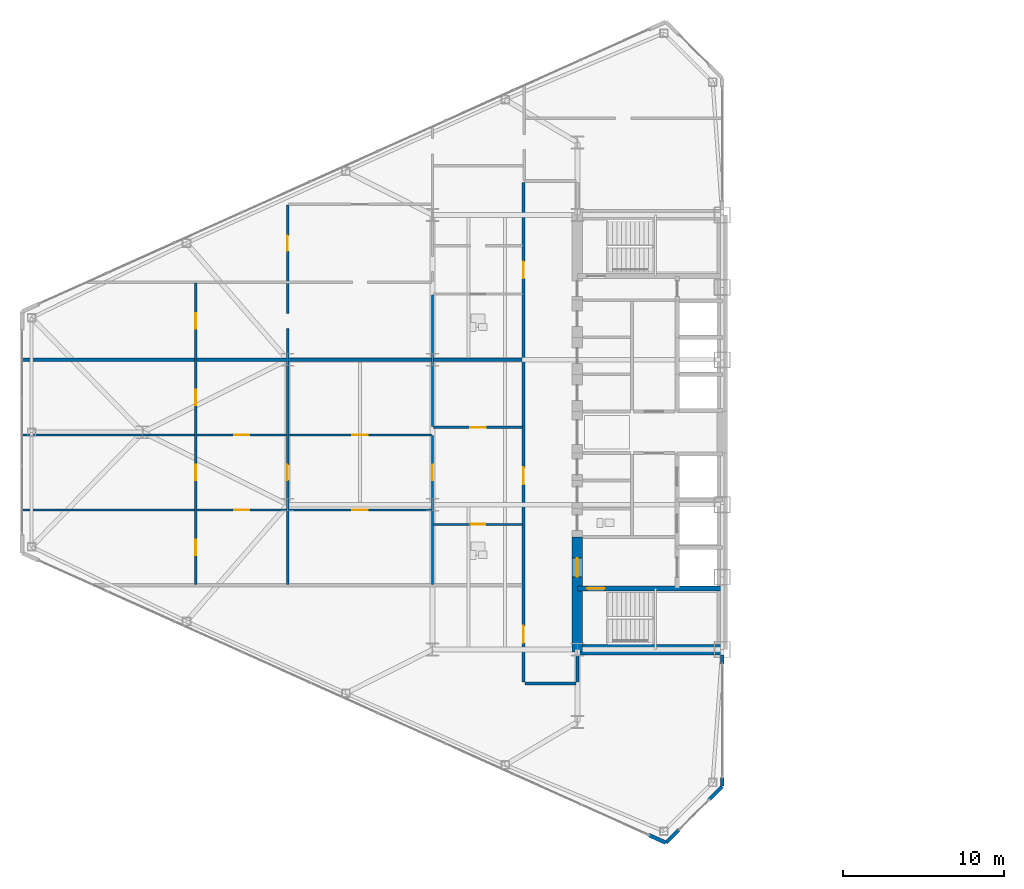
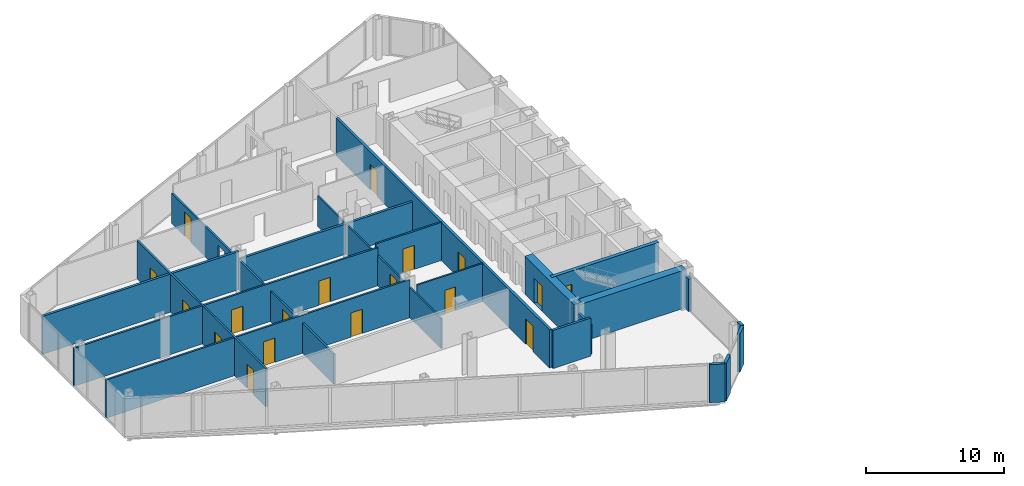
# One storey, part 19 of 27: 21 walls, 18 doors, 19 openings.
"""IFC4 building model written with IfcOpenShell, lengths in metres."""

from ifc_helpers import new_model, si_unit, direction, frame, frame_2d, origin, place, context, subcontext, project, spatial, rectangle, extrude, source, transform, mapped, material, layer, layer_set, type_object, type_shapes, element, fill, save


model = new_model("IFC4")

# Units and contexts
model_context = context("Model", 3, precision=1e-05, world=origin(), true_north=direction((0.0, 1.0)))
body_context = subcontext(model_context, "Body", "Model", "MODEL_VIEW")
ifc_project = project(units=[si_unit("LENGTHUNIT", "METRE"), si_unit("AREAUNIT", "SQUARE_METRE"), si_unit("VOLUMEUNIT", "CUBIC_METRE"), si_unit("PLANEANGLEUNIT", "RADIAN"), si_unit("MASSUNIT", "GRAM", prefix="KILO")], contexts=[model_context])

# Site, building, storey
site_placement = place(None, origin())
site = spatial("IfcSite", under=ifc_project, at=site_placement, CompositionType="ELEMENT")
building_placement = place(site_placement, origin())
building = spatial("IfcBuilding", under=site, at=building_placement, Name="Seokmaru Belvedere", CompositionType="ELEMENT")
storey_placement = place(building_placement, frame((0.0, 0.0, 80.10009765625)))
storey = spatial("IfcBuildingStorey", under=building, at=storey_placement, Name="L21", CompositionType="ELEMENT", Elevation=80.10009765625)

# Wall, openings, doors
ifc_material_1 = material(Name="Fire-Rated Gypsum Shaftwall")
ifc_layer_1 = layer(ifc_material_1, 0.14990234375)
ifc_layer_set_1 = layer_set([ifc_layer_1], Name="Fire-Rated Gypsum Shaftwall")
wall_type_1 = type_object("IfcWallType", Name="Apartment Fire-Acoustic Room Partition 150", PredefinedType="PARTITIONING", material=ifc_layer_set_1)
wall_1_placement = place(storey_placement, frame((-71.034912109375, -4.830078125, 0.0), z_axis=(0.0, 0.0, 1.0), x_axis=(1.0, 0.0, 0.0)))
wall_1 = element("IfcWall", 1, at=wall_1_placement, inside=storey, type_object=wall_type_1, Name="L21 Interior Partition 012", PredefinedType="PARTITIONING", context=body_context, shape_type="SweptSolid", body=[
    extrude(rectangle(XDim=25.48486328125, YDim=0.14990234375, at=frame_2d((12.742431640625, 0.0))), origin(), (0.0, 0.0, 1.0), 3.3798828125),
])
opening_1_placement = place(wall_1_placement, frame((20.56005859375, 0.0, 0.0)))
opening_1 = element("IfcOpeningElement", 2, at=opening_1_placement, cuts=wall_1, Name="Opening D05", PredefinedType="OPENING", context=body_context, shape_type="SweptSolid", body=[
    extrude(rectangle(XDim=0.949951171875, YDim=2.14990234375, at=frame_2d((0.47509765625, 1.074951171875))), frame((0.0, 0.0849609375, 0.0), z_axis=(0.0, -1.0, 0.0), x_axis=(1.0, 0.0, 0.0)), (0.0, 0.0, 1.0), 0.169921875),
])
opening_2_placement = place(wall_1_placement, frame((13.2099609375, 0.0, 0.0)))
opening_2 = element("IfcOpeningElement", 3, at=opening_2_placement, cuts=wall_1, Name="Opening D05", PredefinedType="OPENING", context=body_context, shape_type="SweptSolid", body=[
    extrude(rectangle(XDim=0.949951171875, YDim=2.14990234375, at=frame_2d((0.47509765625, 1.074951171875))), frame((0.0, 0.0849609375, 0.0), z_axis=(0.0, -1.0, 0.0), x_axis=(1.0, 0.0, 0.0)), (0.0, 0.0, 1.0), 0.169921875),
])
ifc_material_2 = material(Name="Engineered White Oak Timber", Category="wood")
door_type_1 = type_object("IfcDoorType", Name="Apartment Interior Fire-Rated Oak Door 950x2150", OperationType="NOTDEFINED", PredefinedType="DOOR", material=ifc_material_2)
shared_shape_1 = source(origin(), body_context, "Body", "SweptSolid", [
    extrude(rectangle(XDim=0.949951171875, YDim=2.14990234375, at=frame_2d((0.47509765625, 1.074951171875))), frame((0.0, 0.02490234375, 0.0), z_axis=(0.0, -1.0, 0.0), x_axis=(1.0, 0.0, 0.0)), (0.0, 0.0, 1.0), 0.050048828125),
])
type_shapes(door_type_1, [shared_shape_1])
door_1_placement = place(opening_1_placement, origin())
door_1 = element("IfcDoor", 4, at=door_1_placement, inside=storey, type_object=door_type_1, Name="L21 Interior Door 007", OperationType="SINGLE_SWING_RIGHT", OverallHeight=2.14990234375, OverallWidth=0.949951171875, PredefinedType="DOOR", context=body_context, shape_type="MappedRepresentation", body=[
    mapped(shared_shape_1, transform((0.0, 0.0, 0.0), scale=1.0)),
])
fill(opening_1, door_1)
door_2_placement = place(opening_2_placement, origin())
door_2 = element("IfcDoor", 5, at=door_2_placement, inside=storey, type_object=door_type_1, Name="L21 Interior Door 009", OperationType="SINGLE_SWING_LEFT", OverallHeight=2.14990234375, OverallWidth=0.949951171875, PredefinedType="DOOR", context=body_context, shape_type="MappedRepresentation", body=[
    mapped(shared_shape_1, transform((0.0, 0.0, 0.0), scale=1.0)),
])
fill(opening_2, door_2)

wall_2_placement = place(storey_placement, frame((-71.034912109375, -0.169921875, 0.0), z_axis=(0.0, 0.0, 1.0), x_axis=(1.0, 0.0, 0.0)))
wall_2 = element("IfcWall", 6, at=wall_2_placement, inside=storey, type_object=wall_type_1, Name="L21 Interior Partition 015", PredefinedType="PARTITIONING", context=body_context, shape_type="SweptSolid", body=[
    extrude(rectangle(XDim=25.48486328125, YDim=0.14990234375, at=frame_2d((12.742431640625, 0.0))), origin(), (0.0, 0.0, 1.0), 3.3798828125),
])
opening_3_placement = place(wall_2_placement, frame((20.56005859375, 0.0, 0.0)))
opening_3 = element("IfcOpeningElement", 7, at=opening_3_placement, cuts=wall_2, Name="Opening D05", PredefinedType="OPENING", context=body_context, shape_type="SweptSolid", body=[
    extrude(rectangle(XDim=0.949951171875, YDim=2.14990234375, at=frame_2d((0.47509765625, 1.074951171875))), frame((0.0, 0.0849609375, 0.0), z_axis=(0.0, -1.0, 0.0), x_axis=(1.0, 0.0, 0.0)), (0.0, 0.0, 1.0), 0.169921875),
])
opening_4_placement = place(wall_2_placement, frame((13.2099609375, 0.0, 0.0)))
opening_4 = element("IfcOpeningElement", 8, at=opening_4_placement, cuts=wall_2, Name="Opening D05", PredefinedType="OPENING", context=body_context, shape_type="SweptSolid", body=[
    extrude(rectangle(XDim=0.949951171875, YDim=2.14990234375, at=frame_2d((0.47509765625, 1.074951171875))), frame((0.0, 0.0849609375, 0.0), z_axis=(0.0, -1.0, 0.0), x_axis=(1.0, 0.0, 0.0)), (0.0, 0.0, 1.0), 0.169921875),
])
door_3_placement = place(opening_3_placement, origin())
door_3 = element("IfcDoor", 9, at=door_3_placement, inside=storey, type_object=door_type_1, Name="L21 Interior Door 008", OperationType="SINGLE_SWING_LEFT", OverallHeight=2.14990234375, OverallWidth=0.949951171875, PredefinedType="DOOR", context=body_context, shape_type="MappedRepresentation", body=[
    mapped(shared_shape_1, transform((0.0, 0.0, 0.0), scale=1.0)),
])
fill(opening_3, door_3)
door_4_placement = place(opening_4_placement, origin())
door_4 = element("IfcDoor", 10, at=door_4_placement, inside=storey, type_object=door_type_1, Name="L21 Interior Door 012", OperationType="SINGLE_SWING_LEFT", OverallHeight=2.14990234375, OverallWidth=0.949951171875, PredefinedType="DOOR", context=body_context, shape_type="MappedRepresentation", body=[
    mapped(shared_shape_1, transform((0.0, 0.0, 0.0), scale=1.0)),
])
fill(opening_4, door_4)

# Wall, opening, door
wall_3_placement = place(storey_placement, frame((-45.449951171875, 0.300048828125, 0.0), z_axis=(0.0, 0.0, 1.0), x_axis=(1.0, 0.0, 0.0)))
wall_3 = element("IfcWall", 11, at=wall_3_placement, inside=storey, type_object=wall_type_1, Name="L21 Interior Partition 017", PredefinedType="PARTITIONING", context=body_context, shape_type="SweptSolid", body=[
    extrude(rectangle(XDim=5.550048828125, YDim=0.14990234375, at=frame_2d((2.77490234375, 0.0))), origin(), (0.0, 0.0, 1.0), 3.3798828125),
])
opening_5_placement = place(wall_3_placement, frame((2.300048828125, 0.0, 0.0)))
opening_5 = element("IfcOpeningElement", 12, at=opening_5_placement, cuts=wall_3, Name="Opening D05", PredefinedType="OPENING", context=body_context, shape_type="SweptSolid", body=[
    extrude(rectangle(XDim=0.949951171875, YDim=2.14990234375, at=frame_2d((0.47509765625, 1.074951171875))), frame((0.0, 0.0849609375, 0.0), z_axis=(0.0, -1.0, 0.0), x_axis=(1.0, 0.0, 0.0)), (0.0, 0.0, 1.0), 0.169921875),
])
door_5_placement = place(opening_5_placement, origin())
door_5 = element("IfcDoor", 13, at=door_5_placement, inside=storey, type_object=door_type_1, Name="L21 Interior Door 004", OperationType="SINGLE_SWING_LEFT", OverallHeight=2.14990234375, OverallWidth=0.949951171875, PredefinedType="DOOR", context=body_context, shape_type="MappedRepresentation", body=[
    mapped(shared_shape_1, transform((0.0, 0.0, 0.0), scale=1.0)),
])
fill(opening_5, door_5)

# Wall, openings, doors
wall_4_placement = place(storey_placement, frame((-60.199951171875, -9.449951171875, 0.0), z_axis=(0.0, 0.0, 1.0), x_axis=(0.0, 1.0, 0.0)))
wall_4 = element("IfcWall", 14, at=wall_4_placement, inside=storey, type_object=wall_type_1, Name="L21 Interior Partition 036", PredefinedType="PARTITIONING", context=body_context, shape_type="SweptSolid", body=[
    extrude(rectangle(XDim=18.724853515625, YDim=0.14990234375, at=frame_2d((9.3623046875, 0.0))), origin(), (0.0, 0.0, 1.0), 3.3798828125),
])
opening_6_placement = place(wall_4_placement, frame((1.808349609375, 0.0, 0.0)))
opening_6 = element("IfcOpeningElement", 15, at=opening_6_placement, cuts=wall_4, Name="Opening D05", PredefinedType="OPENING", context=body_context, shape_type="SweptSolid", body=[
    extrude(rectangle(XDim=0.949951171875, YDim=2.14990234375, at=frame_2d((0.47509765625, 1.074951171875))), frame((0.0, 0.0849609375, 0.0), z_axis=(0.0, -1.0, 0.0), x_axis=(1.0, 0.0, 0.0)), (0.0, 0.0, 1.0), 0.169921875),
])
opening_7_placement = place(wall_4_placement, frame((6.47509765625, 0.0, 0.0)))
opening_7 = element("IfcOpeningElement", 16, at=opening_7_placement, cuts=wall_4, Name="Opening D05", PredefinedType="OPENING", context=body_context, shape_type="SweptSolid", body=[
    extrude(rectangle(XDim=0.949951171875, YDim=2.14990234375, at=frame_2d((0.47509765625, 1.074951171875))), frame((0.0, 0.0849609375, 0.0), z_axis=(0.0, -1.0, 0.0), x_axis=(1.0, 0.0, 0.0)), (0.0, 0.0, 1.0), 0.169921875),
])
opening_8_placement = place(wall_4_placement, frame((11.1416015625, 0.0, 0.0)))
opening_8 = element("IfcOpeningElement", 17, at=opening_8_placement, cuts=wall_4, Name="Opening D05", PredefinedType="OPENING", context=body_context, shape_type="SweptSolid", body=[
    extrude(rectangle(XDim=0.949951171875, YDim=2.14990234375, at=frame_2d((0.47509765625, 1.074951171875))), frame((0.0, 0.0849609375, 0.0), z_axis=(0.0, -1.0, 0.0), x_axis=(1.0, 0.0, 0.0)), (0.0, 0.0, 1.0), 0.169921875),
])
opening_9_placement = place(wall_4_placement, frame((15.887451171875, 0.0, 0.0)))
opening_9 = element("IfcOpeningElement", 18, at=opening_9_placement, cuts=wall_4, Name="Opening D05", PredefinedType="OPENING", context=body_context, shape_type="SweptSolid", body=[
    extrude(rectangle(XDim=0.949951171875, YDim=2.14990234375, at=frame_2d((0.47509765625, 1.074951171875))), frame((0.0, 0.0849609375, 0.0), z_axis=(0.0, -1.0, 0.0), x_axis=(1.0, 0.0, 0.0)), (0.0, 0.0, 1.0), 0.169921875),
])
door_6_placement = place(opening_6_placement, origin())
door_6 = element("IfcDoor", 19, at=door_6_placement, inside=storey, type_object=door_type_1, Name="L21 Interior Door 010", OperationType="SINGLE_SWING_RIGHT", OverallHeight=2.14990234375, OverallWidth=0.949951171875, PredefinedType="DOOR", context=body_context, shape_type="MappedRepresentation", body=[
    mapped(shared_shape_1, transform((0.0, 0.0, 0.0), scale=1.0)),
])
fill(opening_6, door_6)
door_7_placement = place(opening_7_placement, origin())
door_7 = element("IfcDoor", 20, at=door_7_placement, inside=storey, type_object=door_type_1, Name="L21 Interior Door 011", OperationType="SINGLE_SWING_RIGHT", OverallHeight=2.14990234375, OverallWidth=0.949951171875, PredefinedType="DOOR", context=body_context, shape_type="MappedRepresentation", body=[
    mapped(shared_shape_1, transform((0.0, 0.0, 0.0), scale=1.0)),
])
fill(opening_7, door_7)
door_8_placement = place(opening_8_placement, origin())
door_8 = element("IfcDoor", 21, at=door_8_placement, inside=storey, type_object=door_type_1, Name="L21 Interior Door 013", OperationType="SINGLE_SWING_RIGHT", OverallHeight=2.14990234375, OverallWidth=0.949951171875, PredefinedType="DOOR", context=body_context, shape_type="MappedRepresentation", body=[
    mapped(shared_shape_1, transform((0.0, 0.0, 0.0), scale=1.0)),
])
fill(opening_8, door_8)
door_9_placement = place(opening_9_placement, origin())
door_9 = element("IfcDoor", 22, at=door_9_placement, inside=storey, type_object=door_type_1, Name="L21 Interior Door 022", OperationType="SINGLE_SWING_RIGHT", OverallHeight=2.14990234375, OverallWidth=0.949951171875, PredefinedType="DOOR", context=body_context, shape_type="MappedRepresentation", body=[
    mapped(shared_shape_1, transform((0.0, 0.0, 0.0), scale=1.0)),
])
fill(opening_9, door_9)

wall_5_placement = place(storey_placement, frame((-54.5, -9.449951171875, 0.0), z_axis=(0.0, 0.0, 1.0), x_axis=(0.0, 1.0, 0.0)))
wall_5 = element("IfcWall", 23, at=wall_5_placement, inside=storey, type_object=wall_type_1, Name="L21 Interior Partition 037", PredefinedType="PARTITIONING", context=body_context, shape_type="SweptSolid", body=[
    extrude(rectangle(XDim=23.550048828125, YDim=0.14990234375, at=frame_2d((11.77490234375, 0.0))), origin(), (0.0, 0.0, 1.0), 2.679931640625),
])
opening_10_placement = place(wall_5_placement, frame((6.47509765625, 0.0, 0.0)))
opening_10 = element("IfcOpeningElement", 24, at=opening_10_placement, cuts=wall_5, Name="Opening D05", PredefinedType="OPENING", context=body_context, shape_type="SweptSolid", body=[
    extrude(rectangle(XDim=0.949951171875, YDim=2.14990234375, at=frame_2d((0.47509765625, 1.074951171875))), frame((0.0, 0.0849609375, 0.0), z_axis=(0.0, -1.0, 0.0), x_axis=(1.0, 0.0, 0.0)), (0.0, 0.0, 1.0), 0.169921875),
])
opening_11_placement = place(wall_5_placement, frame((20.71240234375, 0.0, 0.0)))
opening_11 = element("IfcOpeningElement", 25, at=opening_11_placement, cuts=wall_5, Name="Opening D05", PredefinedType="OPENING", context=body_context, shape_type="SweptSolid", body=[
    extrude(rectangle(XDim=0.949951171875, YDim=2.14990234375, at=frame_2d((0.47509765625, 1.074951171875))), frame((0.0, 0.0849609375, 0.0), z_axis=(0.0, -1.0, 0.0), x_axis=(1.0, 0.0, 0.0)), (0.0, 0.0, 1.0), 0.169921875),
])
opening_12_placement = place(wall_5_placement, frame((15.887451171875, 0.0, 0.0)))
element("IfcOpeningElement", 26, at=opening_12_placement, cuts=wall_5, Name="L21 Cased Opening 021", PredefinedType="OPENING", context=body_context, shape_type="SweptSolid", body=[
    extrude(rectangle(XDim=0.949951171875, YDim=2.14990234375, at=frame_2d((0.47509765625, 1.074951171875))), frame((0.0, 0.0849609375, 0.0), z_axis=(0.0, -1.0, 0.0), x_axis=(1.0, 0.0, 0.0)), (0.0, 0.0, 1.0), 0.169921875),
])
door_10_placement = place(opening_10_placement, origin())
door_10 = element("IfcDoor", 27, at=door_10_placement, inside=storey, type_object=door_type_1, Name="L21 Interior Door 006", OperationType="SINGLE_SWING_LEFT", OverallHeight=2.14990234375, OverallWidth=0.949951171875, PredefinedType="DOOR", context=body_context, shape_type="MappedRepresentation", body=[
    mapped(shared_shape_1, transform((0.0, 0.0, 0.0), scale=1.0)),
])
fill(opening_10, door_10)
door_11_placement = place(opening_11_placement, origin())
door_11 = element("IfcDoor", 28, at=door_11_placement, inside=storey, type_object=door_type_1, Name="L21 Interior Door 018", OperationType="SINGLE_SWING_RIGHT", OverallHeight=2.14990234375, OverallWidth=0.949951171875, PredefinedType="DOOR", context=body_context, shape_type="MappedRepresentation", body=[
    mapped(shared_shape_1, transform((0.0, 0.0, 0.0), scale=1.0)),
])
fill(opening_11, door_11)

# Walls
ifc_layer_2 = layer(ifc_material_1, 0.199951171875)
ifc_layer_set_2 = layer_set([ifc_layer_2], Name="Fire-Rated Gypsum Shaftwall")
wall_type_2 = type_object("IfcWallType", Name="Inter-Tenancy Fire Compartment Partition 200", PredefinedType="PARTITIONING", material=ifc_layer_set_2)
wall_6_placement = place(storey_placement, frame((-39.764892578125, -15.60009765625, 0.0), z_axis=(0.0, 0.0, 1.0), x_axis=(1.0, 0.0, 0.0)))
element("IfcWall", 29, at=wall_6_placement, inside=storey, type_object=wall_type_2, Name="L21 Interior Partition 004", PredefinedType="PARTITIONING", context=body_context, shape_type="SweptSolid", body=[
    extrude(rectangle(XDim=3.179931640625, YDim=0.199951171875, at=frame_2d((1.58984375, 0.0))), origin(), (0.0, 0.0, 1.0), 3.3798828125),
])
wall_7_placement = place(storey_placement, frame((-71.0048828125, 4.5, 0.0), z_axis=(0.0, 0.0, 1.0), x_axis=(1.0, 0.0, 0.0)))
element("IfcWall", 30, at=wall_7_placement, inside=storey, type_object=wall_type_2, Name="L21 Interior Partition 020", PredefinedType="PARTITIONING", context=body_context, shape_type="SweptSolid", body=[
    extrude(rectangle(XDim=16.48486328125, YDim=0.199951171875, at=frame_2d((8.242431640625, 0.0))), origin(), (0.0, 0.0, 1.0), 3.3798828125),
])
wall_8_placement = place(storey_placement, frame((-54.52001953125, 4.5, 0.0), z_axis=(0.0, 0.0, 1.0), x_axis=(1.0, 0.0, 0.0)))
element("IfcWall", 31, at=wall_8_placement, inside=storey, type_object=wall_type_2, Name="L21 Interior Partition 020 Part 2", PredefinedType="PARTITIONING", context=body_context, shape_type="SweptSolid", body=[
    extrude(rectangle(XDim=14.590087890625, YDim=0.199951171875, at=frame_2d((7.294921875, 0.0))), origin(), (0.0, 0.0, 1.0), 2.679931640625),
])

# Wall, openings, doors
wall_9_placement = place(storey_placement, frame((-39.85009765625, -15.514892578125, 0.0), z_axis=(0.0, 0.0, 1.0), x_axis=(0.0, 1.0, 0.0)))
wall_9 = element("IfcWall", 32, at=wall_9_placement, inside=storey, type_object=wall_type_2, Name="L21 Interior Partition 041", PredefinedType="PARTITIONING", context=body_context, shape_type="SweptSolid", body=[
    extrude(rectangle(XDim=31.02978515625, YDim=0.199951171875, at=frame_2d((15.514892578125, 0.0))), origin(), (0.0, 0.0, 1.0), 3.3798828125),
])
opening_13_placement = place(wall_9_placement, frame((2.43994140625, 0.0, 0.0)))
opening_13 = element("IfcOpeningElement", 33, at=opening_13_placement, cuts=wall_9, Name="Opening D03", PredefinedType="OPENING", context=body_context, shape_type="SweptSolid", body=[
    extrude(rectangle(XDim=1.050048828125, YDim=2.25, at=frame_2d((0.52490234375, 1.125))), frame((0.0, 0.10986328125, 0.0), z_axis=(0.0, -1.0, 0.0), x_axis=(1.0, 0.0, 0.0)), (0.0, 0.0, 1.0), 0.219970703125),
])
opening_14_placement = place(wall_9_placement, frame((12.280029296875, 0.0, 0.0)))
opening_14 = element("IfcOpeningElement", 34, at=opening_14_placement, cuts=wall_9, Name="Opening D03", PredefinedType="OPENING", context=body_context, shape_type="SweptSolid", body=[
    extrude(rectangle(XDim=1.050048828125, YDim=2.25, at=frame_2d((0.52490234375, 1.125))), frame((0.0, 0.10986328125, 0.0), z_axis=(0.0, -1.0, 0.0), x_axis=(1.0, 0.0, 0.0)), (0.0, 0.0, 1.0), 0.219970703125),
])
opening_15_placement = place(wall_9_placement, frame((25.0673828125, 0.0, 0.0)))
opening_15 = element("IfcOpeningElement", 35, at=opening_15_placement, cuts=wall_9, Name="Opening D03", PredefinedType="OPENING", context=body_context, shape_type="SweptSolid", body=[
    extrude(rectangle(XDim=1.050048828125, YDim=2.25, at=frame_2d((0.52490234375, 1.125))), frame((0.0, 0.10986328125, 0.0), z_axis=(0.0, -1.0, 0.0), x_axis=(1.0, 0.0, 0.0)), (0.0, 0.0, 1.0), 0.219970703125),
])
ifc_material_3 = material(Name="Fire-Rated Steel Leaf", Category="steel")
door_type_2 = type_object("IfcDoorType", Name="Apartment Entrance Fire Door 1050x2250", OperationType="NOTDEFINED", PredefinedType="DOOR", material=ifc_material_3)
shared_shape_2 = source(origin(), body_context, "Body", "SweptSolid", [
    extrude(rectangle(XDim=1.050048828125, YDim=2.25, at=frame_2d((0.52490234375, 1.125))), frame((0.0, 0.02490234375, 0.0), z_axis=(0.0, -1.0, 0.0), x_axis=(1.0, 0.0, 0.0)), (0.0, 0.0, 1.0), 0.050048828125),
])
type_shapes(door_type_2, [shared_shape_2])
door_12_placement = place(opening_13_placement, origin())
door_12 = element("IfcDoor", 36, at=door_12_placement, inside=storey, type_object=door_type_2, Name="L21 Interior Door 001", OperationType="SINGLE_SWING_RIGHT", OverallHeight=2.25, OverallWidth=1.050048828125, PredefinedType="DOOR", context=body_context, shape_type="MappedRepresentation", body=[
    mapped(shared_shape_2, transform((0.0, 0.0, 0.0), scale=1.0)),
])
fill(opening_13, door_12)
door_13_placement = place(opening_14_placement, origin())
door_13 = element("IfcDoor", 37, at=door_13_placement, inside=storey, type_object=door_type_2, Name="L21 Interior Door 002", OperationType="SINGLE_SWING_LEFT", OverallHeight=2.25, OverallWidth=1.050048828125, PredefinedType="DOOR", context=body_context, shape_type="MappedRepresentation", body=[
    mapped(shared_shape_2, transform((0.0, 0.0, 0.0), scale=1.0)),
])
fill(opening_14, door_13)
door_14_placement = place(opening_15_placement, origin())
door_14 = element("IfcDoor", 38, at=door_14_placement, inside=storey, type_object=door_type_2, Name="L21 Interior Door 014", OperationType="SINGLE_SWING_RIGHT", OverallHeight=2.25, OverallWidth=1.050048828125, PredefinedType="DOOR", context=body_context, shape_type="MappedRepresentation", body=[
    mapped(shared_shape_2, transform((0.0, 0.0, 0.0), scale=1.0)),
])
fill(opening_15, door_14)

# Wall
wall_10_placement = place(storey_placement, frame((-36.5, -15.514892578125, 0.0), z_axis=(0.0, 0.0, 1.0), x_axis=(0.0, 1.0, 0.0)))
element("IfcWall", 39, at=wall_10_placement, inside=storey, type_object=wall_type_2, Name="L21 Interior Partition 043", PredefinedType="PARTITIONING", context=body_context, shape_type="SweptSolid", body=[
    extrude(rectangle(XDim=1.684814453125, YDim=0.199951171875, at=frame_2d((0.84228515625, 0.0))), origin(), (0.0, 0.0, 1.0), 2.679931640625),
])

# Wall, opening, door
ifc_material_4 = material(Name="Concrete C50 (50 MPa)", Category="concrete")
ifc_layer_3 = layer(ifc_material_4, 0.300048828125)
ifc_layer_set_3 = layer_set([ifc_layer_3], Name="Concrete C50 (50 MPa)")
wall_type_3 = type_object("IfcWallType", Name="Internal Core Stair and Hoistway Wall 300", PredefinedType="SHEAR", material=ifc_layer_set_3)
wall_11_placement = place(storey_placement, frame((-36.5, -9.699951171875, 0.0), z_axis=(0.0, 0.0, 1.0), x_axis=(1.0, 0.0, 0.0)))
wall_11 = element("IfcWall", 40, at=wall_11_placement, inside=storey, type_object=wall_type_3, Name="L21 West Stair ST-1 Enclosure Wall", PredefinedType="SHEAR", context=body_context, shape_type="SweptSolid", body=[
    extrude(rectangle(XDim=9.0, YDim=0.300048828125, at=frame_2d((4.5, 0.0))), origin(), (0.0, 0.0, 1.0), 3.3798828125),
])
opening_16_placement = place(wall_11_placement, frame((0.60009765625, 0.0, 0.0)))
opening_16 = element("IfcOpeningElement", 41, at=opening_16_placement, cuts=wall_11, Name="Opening D01", PredefinedType="OPENING", context=body_context, shape_type="SweptSolid", body=[
    extrude(rectangle(XDim=1.10009765625, YDim=2.199951171875, at=frame_2d((0.550048828125, 1.10009765625))), frame((0.0, 0.16015625, 0.0), z_axis=(0.0, -1.0, 0.0), x_axis=(1.0, 0.0, 0.0)), (0.0, 0.0, 1.0), 0.320068359375),
])
door_type_3 = type_object("IfcDoorType", Name="Special Escape Stair Smokeproof Fire Door 1100x2200", OperationType="NOTDEFINED", PredefinedType="DOOR", material=ifc_material_3)
shared_shape_3 = source(origin(), body_context, "Body", "SweptSolid", [
    extrude(rectangle(XDim=1.10009765625, YDim=2.199951171875, at=frame_2d((0.550048828125, 1.10009765625))), frame((0.0, 0.02490234375, 0.0), z_axis=(0.0, -1.0, 0.0), x_axis=(1.0, 0.0, 0.0)), (0.0, 0.0, 1.0), 0.050048828125),
])
type_shapes(door_type_3, [shared_shape_3])
door_15_placement = place(opening_16_placement, frame((1.10009765625, 0.0, 0.0), z_axis=(0.0, 0.0, 1.0), x_axis=(-1.0, 0.0, 0.0)))
door_15 = element("IfcDoor", 42, at=door_15_placement, inside=storey, type_object=door_type_3, Name="L21 West Special Escape Stair ST-1 Door", OperationType="SINGLE_SWING_LEFT", OverallHeight=2.199951171875, OverallWidth=1.10009765625, PredefinedType="DOOR", context=body_context, shape_type="MappedRepresentation", body=[
    mapped(shared_shape_3, transform((0.0, 0.0, 0.0), scale=1.0)),
])
fill(opening_16, door_15)

# Wall
ifc_material_5 = material(Name="Concrete C60 (60 MPa)", Category="concrete")
ifc_layer_4 = layer(ifc_material_5, 0.64990234375)
ifc_layer_set_4 = layer_set([ifc_layer_4], Name="Concrete C60 (60 MPa)")
wall_type_4 = type_object("IfcWallType", Name="Mid-Low Reinforced Concrete Core Wall 650", PredefinedType="SHEAR", material=ifc_layer_set_4)
wall_12_placement = place(storey_placement, frame((-36.5, -13.5, 0.0), z_axis=(0.0, 0.0, 1.0), x_axis=(1.0, 0.0, 0.0)))
element("IfcWall", 43, at=wall_12_placement, inside=storey, type_object=wall_type_4, Name="L21 West South Core Wall", PredefinedType="SHEAR", context=body_context, shape_type="SweptSolid", body=[
    extrude(rectangle(XDim=9.0, YDim=0.64990234375, at=frame_2d((4.5, 0.0))), origin(), (0.0, 0.0, 1.0), 3.3798828125),
])

# Wall, opening, door
wall_13_placement = place(storey_placement, frame((-36.5, -13.64990234375, 0.0), z_axis=(0.0, 0.0, 1.0), x_axis=(0.0, 1.0, 0.0)))
wall_13 = element("IfcWall", 44, at=wall_13_placement, inside=storey, type_object=wall_type_4, Name="L21 West West Core Wall FF", PredefinedType="SHEAR", context=body_context, shape_type="SweptSolid", body=[
    extrude(rectangle(XDim=7.14990234375, YDim=0.64990234375, at=frame_2d((3.574951171875, 0.0))), origin(), (0.0, 0.0, 1.0), 3.3798828125),
])
opening_17_placement = place(wall_13_placement, frame((4.675048828125, 0.0, 0.0)))
opening_17 = element("IfcOpeningElement", 45, at=opening_17_placement, cuts=wall_13, Name="Opening D02", PredefinedType="OPENING", context=body_context, shape_type="SweptSolid", body=[
    extrude(rectangle(XDim=1.14990234375, YDim=2.199951171875, at=frame_2d((0.574951171875, 1.10009765625))), frame((0.0, 0.3349609375, 0.0), z_axis=(0.0, -1.0, 0.0), x_axis=(1.0, 0.0, 0.0)), (0.0, 0.0, 1.0), 0.669921875),
])
door_type_4 = type_object("IfcDoorType", Name="Lobby and Vestibule Fire Door 1150x2200", OperationType="NOTDEFINED", PredefinedType="DOOR", material=ifc_material_3)
shared_shape_4 = source(origin(), body_context, "Body", "SweptSolid", [
    extrude(rectangle(XDim=1.14990234375, YDim=2.199951171875, at=frame_2d((0.574951171875, 1.10009765625))), frame((0.0, 0.02490234375, 0.0), z_axis=(0.0, -1.0, 0.0), x_axis=(1.0, 0.0, 0.0)), (0.0, 0.0, 1.0), 0.050048828125),
])
type_shapes(door_type_4, [shared_shape_4])
door_16_placement = place(opening_17_placement, frame((1.14990234375, 0.0, 0.0), z_axis=(0.0, 0.0, 1.0), x_axis=(-1.0, 0.0, 0.0)))
door_16 = element("IfcDoor", 46, at=door_16_placement, inside=storey, type_object=door_type_4, Name="L21 West Firefighting Lobby Door", OperationType="SINGLE_SWING_LEFT", OverallHeight=2.199951171875, OverallWidth=1.14990234375, PredefinedType="DOOR", context=body_context, shape_type="MappedRepresentation", body=[
    mapped(shared_shape_4, transform((0.0, 0.0, 0.0), scale=1.0)),
])
fill(opening_17, door_16)

ifc_layer_5 = layer(ifc_material_1, 0.1298828125)
ifc_layer_set_5 = layer_set([ifc_layer_5], Name="Fire-Rated Gypsum Shaftwall")
wall_type_5 = type_object("IfcWallType", Name="Moisture-Resistant Fire-Rated Bathroom Partition 130", PredefinedType="PARTITIONING", material=ifc_layer_set_5)
wall_14_placement = place(storey_placement, frame((-45.449951171875, -5.719970703125, 0.0), z_axis=(0.0, 0.0, 1.0), x_axis=(1.0, 0.0, 0.0)))
wall_14 = element("IfcWall", 47, at=wall_14_placement, inside=storey, type_object=wall_type_5, Name="L21 Interior Partition 011", PredefinedType="PARTITIONING", context=body_context, shape_type="SweptSolid", body=[
    extrude(rectangle(XDim=5.550048828125, YDim=0.1298828125, at=frame_2d((2.77490234375, 0.0))), origin(), (0.0, 0.0, 1.0), 3.3798828125),
])
opening_18_placement = place(wall_14_placement, frame((2.3349609375, 0.0, 0.0)))
opening_18 = element("IfcOpeningElement", 48, at=opening_18_placement, cuts=wall_14, Name="Opening D06", PredefinedType="OPENING", context=body_context, shape_type="SweptSolid", body=[
    extrude(rectangle(XDim=0.8798828125, YDim=2.10009765625, at=frame_2d((0.43994140625, 1.050048828125))), frame((0.0, 0.074951171875, 0.0), z_axis=(0.0, -1.0, 0.0), x_axis=(1.0, 0.0, 0.0)), (0.0, 0.0, 1.0), 0.14990234375),
])
door_type_5 = type_object("IfcDoorType", Name="Bathroom and Restroom Fire-Rated Door 880x2100", OperationType="NOTDEFINED", PredefinedType="DOOR", material=ifc_material_2)
shared_shape_5 = source(origin(), body_context, "Body", "SweptSolid", [
    extrude(rectangle(XDim=0.8798828125, YDim=2.10009765625, at=frame_2d((0.43994140625, 1.050048828125))), frame((0.0, 0.02490234375, 0.0), z_axis=(0.0, -1.0, 0.0), x_axis=(1.0, 0.0, 0.0)), (0.0, 0.0, 1.0), 0.050048828125),
])
type_shapes(door_type_5, [shared_shape_5])
door_17_placement = place(opening_18_placement, origin())
door_17 = element("IfcDoor", 49, at=door_17_placement, inside=storey, type_object=door_type_5, Name="L21 Interior Door 003", OperationType="SINGLE_SWING_LEFT", OverallHeight=2.10009765625, OverallWidth=0.8798828125, PredefinedType="DOOR", context=body_context, shape_type="MappedRepresentation", body=[
    mapped(shared_shape_5, transform((0.0, 0.0, 0.0), scale=1.0)),
])
fill(opening_18, door_17)

wall_15_placement = place(storey_placement, frame((-45.5, -9.449951171875, 0.0), z_axis=(0.0, 0.0, 1.0), x_axis=(0.0, 1.0, 0.0)))
wall_15 = element("IfcWall", 50, at=wall_15_placement, inside=storey, type_object=wall_type_5, Name="L21 Interior Partition 038", PredefinedType="PARTITIONING", context=body_context, shape_type="SweptSolid", body=[
    extrude(rectangle(XDim=9.23291015625, YDim=0.1298828125, at=frame_2d((4.616455078125, 0.0))), origin(), (0.0, 0.0, 1.0), 2.679931640625),
])
opening_19_placement = place(wall_15_placement, frame((6.47509765625, 0.0, 0.0)))
opening_19 = element("IfcOpeningElement", 51, at=opening_19_placement, cuts=wall_15, Name="Opening D05", PredefinedType="OPENING", context=body_context, shape_type="SweptSolid", body=[
    extrude(rectangle(XDim=0.949951171875, YDim=2.14990234375, at=frame_2d((0.47509765625, 1.074951171875))), frame((0.0, 0.074951171875, 0.0), z_axis=(0.0, -1.0, 0.0), x_axis=(1.0, 0.0, 0.0)), (0.0, 0.0, 1.0), 0.14990234375),
])
door_18_placement = place(opening_19_placement, origin())
door_18 = element("IfcDoor", 52, at=door_18_placement, inside=storey, type_object=door_type_1, Name="L21 Interior Door 005", OperationType="SINGLE_SWING_RIGHT", OverallHeight=2.14990234375, OverallWidth=0.949951171875, PredefinedType="DOOR", context=body_context, shape_type="MappedRepresentation", body=[
    mapped(shared_shape_1, transform((0.0, 0.0, 0.0), scale=1.0)),
])
fill(opening_19, door_18)

# Walls
wall_16_placement = place(storey_placement, frame((-45.5, 0.35205078125, 0.0), z_axis=(0.0, 0.0, 1.0), x_axis=(0.0, 1.0, 0.0)))
element("IfcWall", 53, at=wall_16_placement, inside=storey, type_object=wall_type_5, Name="L21 Interior Partition 039", PredefinedType="PARTITIONING", context=body_context, shape_type="SweptSolid", body=[
    extrude(rectangle(XDim=8.176025390625, YDim=0.1298828125, at=frame_2d((4.087890625, 0.0))), origin(), (0.0, 0.0, 1.0), 2.679931640625),
])
ifc_material_6 = material(Name="Anodised Bronze Aluminium", Category="aluminium")
ifc_layer_6 = layer(ifc_material_6, 0.239990234375)
ifc_layer_set_6 = layer_set([ifc_layer_6], Name="Anodised Bronze Aluminium")
wall_type_6 = type_object("IfcWallType", Name="Tower Corner Spandrel Closure Wall 240", PredefinedType="SOLIDWALL", material=ifc_layer_set_6)
wall_17_placement = place(storey_placement, frame((-27.5, -21.97998046875, 0.0), z_axis=(0.0, 0.0, 1.0), x_axis=(0.0, 1.0, 0.0)))
element("IfcWall", 54, at=wall_17_placement, inside=storey, type_object=wall_type_6, Name="L21 W Spine Closure Pier 1A", PredefinedType="SOLIDWALL", context=body_context, shape_type="SweptSolid", body=[
    extrude(rectangle(XDim=0.550048828125, YDim=0.239990234375, at=frame_2d((0.27490234375, 0.0))), origin(), (0.0, 0.0, 1.0), 3.3798828125),
])
wall_18_placement = place(storey_placement, frame((-27.5, -14.3798828125, 0.0), z_axis=(0.0, 0.0, 1.0), x_axis=(0.0, 1.0, 0.0)))
element("IfcWall", 55, at=wall_18_placement, inside=storey, type_object=wall_type_6, Name="L21 W Spine Closure Pier 1B", PredefinedType="SOLIDWALL", context=body_context, shape_type="SweptSolid", body=[
    extrude(rectangle(XDim=0.5498046875, YDim=0.239990234375, at=frame_2d((0.27490234375, 0.0))), origin(), (0.0, 0.0, 1.0), 2.8798828125),
])
wall_19_placement = place(storey_placement, frame((-32.048583984375, -25.028076171875, 0.0), z_axis=(0.0, 0.0, 1.0), x_axis=(0.911929519623, -0.410346866979, 0.0)))
element("IfcWall", 56, at=wall_19_placement, inside=storey, type_object=wall_type_6, Name="L21 W Corner Closure Pier 5B", PredefinedType="SOLIDWALL", context=body_context, shape_type="SweptSolid", body=[
    extrude(rectangle(XDim=1.139892578125, YDim=0.239990234375, at=frame_2d((0.56982421875, 0.0))), origin(), (0.0, 0.0, 1.0), 3.3798828125),
])
for number, where, z_axis, x_axis, name in (
    (57, (-30.992919921875, -25.492919921875, 0.0), (0.0, 0.0, 1.0), (0.707106781187, 0.707106781187, 0.0), "L21 W Corner Closure Pier 6A"),
    (58, (-28.313232421875, -22.813232421875, 0.0), (0.0, 0.0, 1.0), (0.707106781187, 0.707106781187, 0.0), "L21 W Corner Closure Pier 6B"),
):
    element("IfcWall", number, at=place(storey_placement, frame(where, z_axis=z_axis, x_axis=x_axis)), inside=storey, type_object=wall_type_6, Name=name, PredefinedType="SOLIDWALL", context=body_context, shape_type="SweptSolid", body=[
        extrude(rectangle(XDim=1.14013671875, YDim=0.239990234375, at=frame_2d((0.570068359375, 0.0))), origin(), (0.0, 0.0, 1.0), 3.3798828125),
    ])

save(model, "model.ifc")
